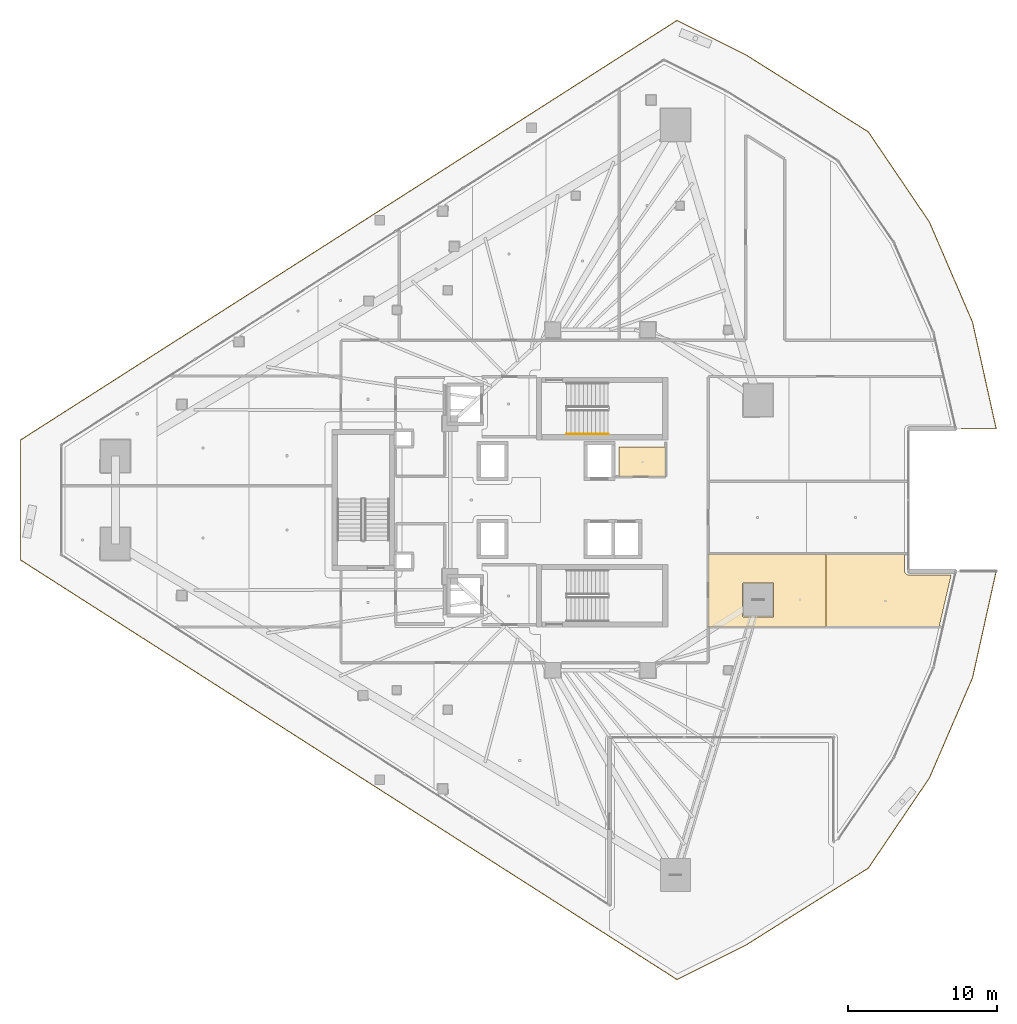
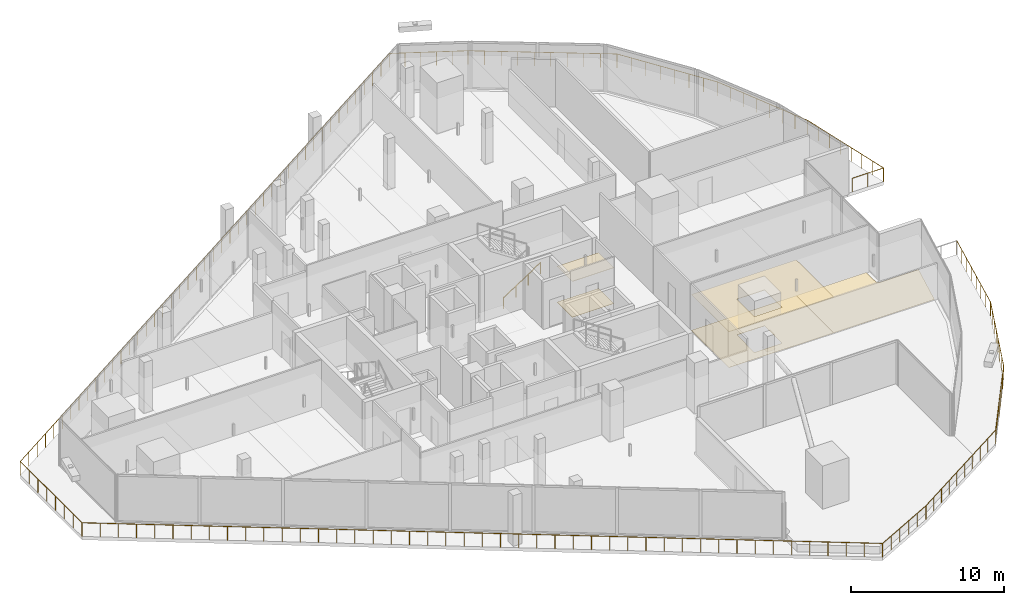
# One storey, part 36 of 39: 5 coverings, 2 railings.
"""IFC4 building model written with IfcOpenShell, lengths in metres."""

from ifc_helpers import new_model, si_unit, direction, frame, origin, origin_2d, place, context, subcontext, project, spatial, polyline, circle, outline, extrude, material, layer, layer_set, type_object, element, save


model = new_model("IFC4")

# Units and contexts
model_context = context("Model", 3, precision=1e-05, world=origin(), true_north=direction((0.0, 1.0)))
body_context = subcontext(model_context, "Body", "Model", "MODEL_VIEW")
ifc_project = project(units=[si_unit("LENGTHUNIT", "METRE"), si_unit("AREAUNIT", "SQUARE_METRE"), si_unit("VOLUMEUNIT", "CUBIC_METRE"), si_unit("PLANEANGLEUNIT", "RADIAN"), si_unit("MASSUNIT", "GRAM", prefix="KILO")], contexts=[model_context])

# Site, building, storey
site_placement = place(None, origin())
site = spatial("IfcSite", under=ifc_project, at=site_placement, CompositionType="ELEMENT")
building_placement = place(site_placement, origin())
building = spatial("IfcBuilding", under=site, at=building_placement, Name="Qorvath Tower", CompositionType="ELEMENT")
storey_placement = place(building_placement, frame((0.0, 0.0, 154.35009765625)))
storey = spatial("IfcBuildingStorey", under=building, at=storey_placement, Name="L35", CompositionType="ELEMENT", Elevation=154.35009765625)

# Coverings
ifc_material_1 = material(Name="Acoustic mineral fibre ceiling tile", Category="gypsum")
ifc_layer_1 = layer(ifc_material_1, 0.030029296875)
ifc_layer_set_1 = layer_set([ifc_layer_1], Name="COV-CEIL")
covering_type_1 = type_object("IfcCoveringType", Name="COV-CEIL", PredefinedType="CEILING", material=ifc_layer_set_1)
covering_1_placement = place(storey_placement, frame((0.0, 0.0, 2.849853515625)))
element("IfcCovering", 1, at=covering_1_placement, inside=storey, type_object=covering_type_1, Name="L35 Suspended Acoustic Ceiling 003", PredefinedType="CEILING", context=body_context, shape_type="SweptSolid", body=[
    extrude(outline(polyline([(-16.0048828125, 3.56005859375), (-19.139892578125, 3.56005859375), (-19.139892578125, 1.56494140625), (-16.0048828125, 1.56494140625), (-16.0048828125, 3.56005859375)])), origin(), (0.0, 0.0, 1.0), 0.030029296875),
])
covering_2_placement = place(storey_placement, frame((0.0, 0.0, 2.849853515625)))
element("IfcCovering", 2, at=covering_2_placement, inside=storey, type_object=covering_type_1, Name="L35 Suspended Acoustic Ceiling 020", PredefinedType="CEILING", context=body_context, shape_type="SweptSolid", body=[
    extrude(outline(polyline([(-5.210693359375, -8.537109375), (-5.210693359375, -3.623779296875), (-13.136962890625, -3.623779296875), (-13.136962890625, -8.537109375), (-5.210693359375, -8.537109375)]), holes=[polyline([(-10.830322265625, -7.8212890625), (-10.812744140625, -5.578857421875), (-8.727783203125, -5.578857421875), (-8.727783203125, -7.86376953125), (-10.770263671875, -7.88134765625), (-10.830322265625, -7.8212890625)])]), origin(), (0.0, 0.0, 1.0), 0.030029296875),
])
ifc_material_2 = material(Name="Low-VOC modular carpet tile", Category="textile")
ifc_layer_2 = layer(ifc_material_2, 0.014892578125)
ifc_layer_set_2 = layer_set([ifc_layer_2], Name="COV-FLOOR-CPT")
covering_type_2 = type_object("IfcCoveringType", Name="COV-FLOOR-CPT", PredefinedType="FLOORING", material=ifc_layer_set_2)
covering_3_placement = place(storey_placement, origin())
element("IfcCovering", 3, at=covering_3_placement, inside=storey, type_object=covering_type_2, Name="L35 Floor Finish 003", PredefinedType="FLOORING", context=body_context, shape_type="SweptSolid", body=[
    extrude(outline(polyline([(-16.0048828125, 3.56005859375), (-19.139892578125, 3.56005859375), (-19.139892578125, 1.56494140625), (-16.0048828125, 1.56494140625), (-16.0048828125, 3.56005859375)])), origin(), (0.0, 0.0, 1.0), 0.014892578125),
])
covering_4_placement = place(storey_placement, origin())
element("IfcCovering", 4, at=covering_4_placement, inside=storey, type_object=covering_type_2, Name="L35 Floor Finish 020", PredefinedType="FLOORING", context=body_context, shape_type="SweptSolid", body=[
    extrude(outline(polyline([(-5.210693359375, -8.537109375), (-5.210693359375, -3.623779296875), (-13.136962890625, -3.623779296875), (-13.136962890625, -8.537109375), (-5.210693359375, -8.537109375)]), holes=[polyline([(-10.830322265625, -7.8212890625), (-10.812744140625, -5.578857421875), (-8.727783203125, -5.578857421875), (-8.727783203125, -7.86376953125), (-10.770263671875, -7.88134765625), (-10.830322265625, -7.8212890625)])]), origin(), (0.0, 0.0, 1.0), 0.014892578125),
])
covering_5_placement = place(storey_placement, origin())
element("IfcCovering", 5, at=covering_5_placement, inside=storey, type_object=covering_type_2, Name="L35 Floor Finish 021", PredefinedType="FLOORING", context=body_context, shape_type="SweptSolid", body=[
    extrude(outline(polyline([(0.177001953125, -4.990966796875), (0.089599609375, -4.843994140625), (0.084716796875, -3.623779296875), (-5.210693359375, -3.623779296875), (-5.210693359375, -8.537109375), (2.408203125, -8.537109375), (3.2158203125, -5.05029296875), (0.315185546875, -5.049072265625), (0.177001953125, -4.990966796875)])), origin(), (0.0, 0.0, 1.0), 0.014892578125),
])

# Railings
ifc_material_3 = material(Name="Laminated safety glass and stainless steel AISI 316", Category="steel")
railing_type_1 = type_object("IfcRailingType", Name="RL-EXT-GRD", PredefinedType="GUARDRAIL", material=ifc_material_3)
railing_1_placement = place(storey_placement, frame((6.252685546875, -4.795166015625, 0.0)))
element("IfcRailing", 6, at=railing_1_placement, inside=storey, type_object=railing_type_1, Name="Loggia Perimeter Guardrail L35-1.1", PredefinedType="GUARDRAIL", context=body_context, shape_type="SweptSolid", body=[
    extrude(circle(Radius=0.02392578125, at=origin_2d()), frame((0.0, 0.0, 1.09619140625), z_axis=(-0.216081952591, -0.976375230003, 0.0), x_axis=(0.976375230003, -0.216081952591, 0.0)), (0.0, 0.0, 1.0), 7.343017578125),
    extrude(circle(Radius=0.02392578125, at=origin_2d()), frame((-1.586669921875, -7.16943359375, 1.09619140625), z_axis=(-0.395483671484, -0.918473007545, 0.0), x_axis=(0.918473007545, -0.395483671484, 0.0)), (0.0, 0.0, 1.0), 7.343017578125),
    extrude(circle(Radius=0.02392578125, at=origin_2d()), frame((-4.49072265625, -13.913818359375, 1.09619140625), z_axis=(-0.560823149811, -0.827935622278, 0.0), x_axis=(0.827935622278, -0.560823149811, 0.0)), (0.0, 0.0, 1.0), 7.343017578125),
    extrude(circle(Radius=0.02392578125, at=origin_2d()), frame((-8.60888671875, -19.993408203125, 1.09619140625), z_axis=(-0.846489105075, -0.532406043344, 0.0), x_axis=(0.532406043344, -0.846489105075, 0.0)), (0.0, 0.0, 1.0), 9.7646484375),
    extrude(circle(Radius=0.02392578125, at=origin_2d()), frame((-16.87451171875, -25.192138671875, 1.09619140625), z_axis=(-0.89443665724, -0.447194662518, 0.0), x_axis=(0.447194662518, -0.89443665724, 0.0)), (0.0, 0.0, 1.0), 5.157958984375),
    extrude(circle(Radius=0.02392578125, at=origin_2d()), frame((-21.488037109375, -27.498779296875, 1.09619140625), z_axis=(-0.842602658811, 0.538535754954, 0.0), x_axis=(-0.538535754954, -0.842602658811, 0.0)), (0.0, 0.0, 1.0), 52.470703125),
    extrude(circle(Radius=0.02392578125, at=origin_2d()), frame((-65.699951171875, 0.758544921875, 1.09619140625), z_axis=(0.0, 1.0, 0.0), x_axis=(-1.0, 0.0, 0.0)), (0.0, 0.0, 1.0), 8.0732421875),
    extrude(circle(Radius=0.02392578125, at=origin_2d()), frame((-65.699951171875, 8.831787109375, 1.09619140625), z_axis=(0.842602658811, 0.538535754954, 0.0), x_axis=(-0.538535754954, 0.842602658811, 0.0)), (0.0, 0.0, 1.0), 52.470703125),
    extrude(circle(Radius=0.02392578125, at=origin_2d()), frame((-21.488037109375, 37.089111328125, 1.09619140625), z_axis=(0.89443665724, -0.447194662518, 0.0), x_axis=(0.447194662518, 0.89443665724, 0.0)), (0.0, 0.0, 1.0), 5.157958984375),
    extrude(circle(Radius=0.02392578125, at=origin_2d()), frame((-16.87451171875, 34.782470703125, 1.09619140625), z_axis=(0.846489105075, -0.532406043344, 0.0), x_axis=(0.532406043344, 0.846489105075, 0.0)), (0.0, 0.0, 1.0), 9.7646484375),
    extrude(circle(Radius=0.02392578125, at=origin_2d()), frame((-8.60888671875, 29.583740234375, 1.09619140625), z_axis=(0.560823149811, -0.827935622278, 0.0), x_axis=(0.827935622278, 0.560823149811, 0.0)), (0.0, 0.0, 1.0), 7.343017578125),
    extrude(circle(Radius=0.02392578125, at=origin_2d()), frame((-4.49072265625, 23.504150390625, 1.09619140625), z_axis=(0.395483671484, -0.918473007545, 0.0), x_axis=(0.918473007545, 0.395483671484, 0.0)), (0.0, 0.0, 1.0), 7.343017578125),
    extrude(circle(Radius=0.02392578125, at=origin_2d()), frame((-1.586669921875, 16.759765625, 1.09619140625), z_axis=(0.216081952591, -0.976375230003, 0.0), x_axis=(0.976375230003, 0.216081952591, 0.0)), (0.0, 0.0, 1.0), 7.343017578125),
    extrude(circle(Radius=0.02392578125, at=origin_2d()), frame((0.0, 9.59033203125, 1.09619140625), z_axis=(-1.0, 0.0, 0.0), x_axis=(0.0, -1.0, 0.0)), (0.0, 0.0, 1.0), 2.366455078125),
    extrude(circle(Radius=0.02099609375, at=origin_2d()), origin(), (0.0, 0.0, 1.0), 1.072021484375),
    extrude(circle(Radius=0.02099609375, at=origin_2d()), frame((-0.2265625, -1.024169921875, 0.0)), (0.0, 0.0, 1.0), 1.072021484375),
    extrude(circle(Radius=0.02099609375, at=origin_2d()), frame((-0.453369140625, -2.04833984375, 0.0)), (0.0, 0.0, 1.0), 1.072021484375),
    extrude(circle(Radius=0.02099609375, at=origin_2d()), frame((-0.679931640625, -3.072509765625, 0.0)), (0.0, 0.0, 1.0), 1.072021484375),
    extrude(circle(Radius=0.02099609375, at=origin_2d()), frame((-0.90673828125, -4.096923828125, 0.0)), (0.0, 0.0, 1.0), 1.072021484375),
    extrude(circle(Radius=0.02099609375, at=origin_2d()), frame((-1.13330078125, -5.12109375, 0.0)), (0.0, 0.0, 1.0), 1.072021484375),
    extrude(circle(Radius=0.02099609375, at=origin_2d()), frame((-1.360107421875, -6.145263671875, 0.0)), (0.0, 0.0, 1.0), 1.072021484375),
    extrude(circle(Radius=0.02099609375, at=origin_2d()), frame((-1.586669921875, -7.16943359375, 0.0)), (0.0, 0.0, 1.0), 1.072021484375),
    extrude(circle(Radius=0.02099609375, at=origin_2d()), frame((-2.00146484375, -8.1328125, 0.0)), (0.0, 0.0, 1.0), 1.072021484375),
    extrude(circle(Radius=0.02099609375, at=origin_2d()), frame((-2.41650390625, -9.096435546875, 0.0)), (0.0, 0.0, 1.0), 1.072021484375),
    extrude(circle(Radius=0.02099609375, at=origin_2d()), frame((-2.831298828125, -10.059814453125, 0.0)), (0.0, 0.0, 1.0), 1.072021484375),
    extrude(circle(Radius=0.02099609375, at=origin_2d()), frame((-3.24609375, -11.0234375, 0.0)), (0.0, 0.0, 1.0), 1.072021484375),
    extrude(circle(Radius=0.02099609375, at=origin_2d()), frame((-3.660888671875, -11.98681640625, 0.0)), (0.0, 0.0, 1.0), 1.072021484375),
    extrude(circle(Radius=0.02099609375, at=origin_2d()), frame((-4.075927734375, -12.950439453125, 0.0)), (0.0, 0.0, 1.0), 1.072021484375),
    extrude(circle(Radius=0.02099609375, at=origin_2d()), frame((-4.49072265625, -13.913818359375, 0.0)), (0.0, 0.0, 1.0), 1.072021484375),
    extrude(circle(Radius=0.02099609375, at=origin_2d()), frame((-5.0791015625, -14.7822265625, 0.0)), (0.0, 0.0, 1.0), 1.072021484375),
    extrude(circle(Radius=0.02099609375, at=origin_2d()), frame((-5.667236328125, -15.65087890625, 0.0)), (0.0, 0.0, 1.0), 1.072021484375),
    extrude(circle(Radius=0.02099609375, at=origin_2d()), frame((-6.255615234375, -16.519287109375, 0.0)), (0.0, 0.0, 1.0), 1.072021484375),
    extrude(circle(Radius=0.02099609375, at=origin_2d()), frame((-6.843994140625, -17.387939453125, 0.0)), (0.0, 0.0, 1.0), 1.072021484375),
    extrude(circle(Radius=0.02099609375, at=origin_2d()), frame((-7.432373046875, -18.25634765625, 0.0)), (0.0, 0.0, 1.0), 1.072021484375),
    extrude(circle(Radius=0.02099609375, at=origin_2d()), frame((-8.0205078125, -19.125, 0.0)), (0.0, 0.0, 1.0), 1.072021484375),
    extrude(circle(Radius=0.02099609375, at=origin_2d()), frame((-8.60888671875, -19.993408203125, 0.0)), (0.0, 0.0, 1.0), 1.072021484375),
    extrude(circle(Radius=0.02099609375, at=origin_2d()), frame((-9.52734375, -20.571044921875, 0.0)), (0.0, 0.0, 1.0), 1.072021484375),
    extrude(circle(Radius=0.02099609375, at=origin_2d()), frame((-10.44580078125, -21.148681640625, 0.0)), (0.0, 0.0, 1.0), 1.072021484375),
    extrude(circle(Radius=0.02099609375, at=origin_2d()), frame((-11.364013671875, -21.726318359375, 0.0)), (0.0, 0.0, 1.0), 1.072021484375),
    extrude(circle(Radius=0.02099609375, at=origin_2d()), frame((-12.282470703125, -22.303955078125, 0.0)), (0.0, 0.0, 1.0), 1.072021484375),
    extrude(circle(Radius=0.02099609375, at=origin_2d()), frame((-13.200927734375, -22.881591796875, 0.0)), (0.0, 0.0, 1.0), 1.072021484375),
    extrude(circle(Radius=0.02099609375, at=origin_2d()), frame((-14.119384765625, -23.459228515625, 0.0)), (0.0, 0.0, 1.0), 1.072021484375),
    extrude(circle(Radius=0.02099609375, at=origin_2d()), frame((-15.03759765625, -24.036865234375, 0.0)), (0.0, 0.0, 1.0), 1.072021484375),
    extrude(circle(Radius=0.02099609375, at=origin_2d()), frame((-15.9560546875, -24.614501953125, 0.0)), (0.0, 0.0, 1.0), 1.072021484375),
    extrude(circle(Radius=0.02099609375, at=origin_2d()), frame((-16.87451171875, -25.192138671875, 0.0)), (0.0, 0.0, 1.0), 1.072021484375),
    extrude(circle(Radius=0.02099609375, at=origin_2d()), frame((-17.797119140625, -25.653564453125, 0.0)), (0.0, 0.0, 1.0), 1.072021484375),
    extrude(circle(Radius=0.02099609375, at=origin_2d()), frame((-18.719970703125, -26.11474609375, 0.0)), (0.0, 0.0, 1.0), 1.072021484375),
    extrude(circle(Radius=0.02099609375, at=origin_2d()), frame((-19.642578125, -26.576171875, 0.0)), (0.0, 0.0, 1.0), 1.072021484375),
    extrude(circle(Radius=0.02099609375, at=origin_2d()), frame((-20.5654296875, -27.037353515625, 0.0)), (0.0, 0.0, 1.0), 1.072021484375),
    extrude(circle(Radius=0.02099609375, at=origin_2d()), frame((-21.488037109375, -27.498779296875, 0.0)), (0.0, 0.0, 1.0), 1.072021484375),
    extrude(circle(Radius=0.02099609375, at=origin_2d()), frame((-22.492919921875, -26.8564453125, 0.0)), (0.0, 0.0, 1.0), 1.072021484375),
    extrude(circle(Radius=0.02099609375, at=origin_2d()), frame((-23.49755859375, -26.21435546875, 0.0)), (0.0, 0.0, 1.0), 1.072021484375),
    extrude(circle(Radius=0.02099609375, at=origin_2d()), frame((-24.50244140625, -25.572265625, 0.0)), (0.0, 0.0, 1.0), 1.072021484375),
    extrude(circle(Radius=0.02099609375, at=origin_2d()), frame((-25.50732421875, -24.929931640625, 0.0)), (0.0, 0.0, 1.0), 1.072021484375),
    extrude(circle(Radius=0.02099609375, at=origin_2d()), frame((-26.51220703125, -24.28759765625, 0.0)), (0.0, 0.0, 1.0), 1.072021484375),
    extrude(circle(Radius=0.02099609375, at=origin_2d()), frame((-27.516845703125, -23.6455078125, 0.0)), (0.0, 0.0, 1.0), 1.072021484375),
    extrude(circle(Radius=0.02099609375, at=origin_2d()), frame((-28.521728515625, -23.00341796875, 0.0)), (0.0, 0.0, 1.0), 1.072021484375),
    extrude(circle(Radius=0.02099609375, at=origin_2d()), frame((-29.526611328125, -22.361083984375, 0.0)), (0.0, 0.0, 1.0), 1.072021484375),
    extrude(circle(Radius=0.02099609375, at=origin_2d()), frame((-30.531494140625, -21.71875, 0.0)), (0.0, 0.0, 1.0), 1.072021484375),
    extrude(circle(Radius=0.02099609375, at=origin_2d()), frame((-31.5361328125, -21.07666015625, 0.0)), (0.0, 0.0, 1.0), 1.072021484375),
    extrude(circle(Radius=0.02099609375, at=origin_2d()), frame((-32.541015625, -20.4345703125, 0.0)), (0.0, 0.0, 1.0), 1.072021484375),
    extrude(circle(Radius=0.02099609375, at=origin_2d()), frame((-33.5458984375, -19.792236328125, 0.0)), (0.0, 0.0, 1.0), 1.072021484375),
    extrude(circle(Radius=0.02099609375, at=origin_2d()), frame((-34.550537109375, -19.14990234375, 0.0)), (0.0, 0.0, 1.0), 1.072021484375),
    extrude(circle(Radius=0.02099609375, at=origin_2d()), frame((-35.555419921875, -18.5078125, 0.0)), (0.0, 0.0, 1.0), 1.072021484375),
    extrude(circle(Radius=0.02099609375, at=origin_2d()), frame((-36.560302734375, -17.86572265625, 0.0)), (0.0, 0.0, 1.0), 1.072021484375),
    extrude(circle(Radius=0.02099609375, at=origin_2d()), frame((-37.565185546875, -17.223388671875, 0.0)), (0.0, 0.0, 1.0), 1.072021484375),
    extrude(circle(Radius=0.02099609375, at=origin_2d()), frame((-38.56982421875, -16.5810546875, 0.0)), (0.0, 0.0, 1.0), 1.072021484375),
    extrude(circle(Radius=0.02099609375, at=origin_2d()), frame((-39.57470703125, -15.93896484375, 0.0)), (0.0, 0.0, 1.0), 1.072021484375),
    extrude(circle(Radius=0.02099609375, at=origin_2d()), frame((-40.57958984375, -15.296875, 0.0)), (0.0, 0.0, 1.0), 1.072021484375),
    extrude(circle(Radius=0.02099609375, at=origin_2d()), frame((-41.58447265625, -14.654541015625, 0.0)), (0.0, 0.0, 1.0), 1.072021484375),
    extrude(circle(Radius=0.02099609375, at=origin_2d()), frame((-42.589111328125, -14.01220703125, 0.0)), (0.0, 0.0, 1.0), 1.072021484375),
    extrude(circle(Radius=0.02099609375, at=origin_2d()), frame((-43.593994140625, -13.3701171875, 0.0)), (0.0, 0.0, 1.0), 1.072021484375),
    extrude(circle(Radius=0.02099609375, at=origin_2d()), frame((-44.598876953125, -12.72802734375, 0.0)), (0.0, 0.0, 1.0), 1.072021484375),
    extrude(circle(Radius=0.02099609375, at=origin_2d()), frame((-45.603515625, -12.085693359375, 0.0)), (0.0, 0.0, 1.0), 1.072021484375),
    extrude(circle(Radius=0.02099609375, at=origin_2d()), frame((-46.6083984375, -11.443359375, 0.0)), (0.0, 0.0, 1.0), 1.072021484375),
    extrude(circle(Radius=0.02099609375, at=origin_2d()), frame((-47.61328125, -10.80126953125, 0.0)), (0.0, 0.0, 1.0), 1.072021484375),
    extrude(circle(Radius=0.02099609375, at=origin_2d()), frame((-48.6181640625, -10.1591796875, 0.0)), (0.0, 0.0, 1.0), 1.072021484375),
    extrude(circle(Radius=0.02099609375, at=origin_2d()), frame((-49.622802734375, -9.516845703125, 0.0)), (0.0, 0.0, 1.0), 1.072021484375),
    extrude(circle(Radius=0.02099609375, at=origin_2d()), frame((-50.627685546875, -8.87451171875, 0.0)), (0.0, 0.0, 1.0), 1.072021484375),
    extrude(circle(Radius=0.02099609375, at=origin_2d()), frame((-51.632568359375, -8.232421875, 0.0)), (0.0, 0.0, 1.0), 1.072021484375),
    extrude(circle(Radius=0.02099609375, at=origin_2d()), frame((-52.637451171875, -7.59033203125, 0.0)), (0.0, 0.0, 1.0), 1.072021484375),
    extrude(circle(Radius=0.02099609375, at=origin_2d()), frame((-53.64208984375, -6.947998046875, 0.0)), (0.0, 0.0, 1.0), 1.072021484375),
    extrude(circle(Radius=0.02099609375, at=origin_2d()), frame((-54.64697265625, -6.3056640625, 0.0)), (0.0, 0.0, 1.0), 1.072021484375),
    extrude(circle(Radius=0.02099609375, at=origin_2d()), frame((-55.65185546875, -5.66357421875, 0.0)), (0.0, 0.0, 1.0), 1.072021484375),
    extrude(circle(Radius=0.02099609375, at=origin_2d()), frame((-56.656494140625, -5.021484375, 0.0)), (0.0, 0.0, 1.0), 1.072021484375),
    extrude(circle(Radius=0.02099609375, at=origin_2d()), frame((-57.661376953125, -4.379150390625, 0.0)), (0.0, 0.0, 1.0), 1.072021484375),
    extrude(circle(Radius=0.02099609375, at=origin_2d()), frame((-58.666259765625, -3.73681640625, 0.0)), (0.0, 0.0, 1.0), 1.072021484375),
    extrude(circle(Radius=0.02099609375, at=origin_2d()), frame((-59.671142578125, -3.0947265625, 0.0)), (0.0, 0.0, 1.0), 1.072021484375),
    extrude(circle(Radius=0.02099609375, at=origin_2d()), frame((-60.67578125, -2.45263671875, 0.0)), (0.0, 0.0, 1.0), 1.072021484375),
    extrude(circle(Radius=0.02099609375, at=origin_2d()), frame((-61.6806640625, -1.810302734375, 0.0)), (0.0, 0.0, 1.0), 1.072021484375),
    extrude(circle(Radius=0.02099609375, at=origin_2d()), frame((-62.685546875, -1.16796875, 0.0)), (0.0, 0.0, 1.0), 1.072021484375),
    extrude(circle(Radius=0.02099609375, at=origin_2d()), frame((-63.6904296875, -0.52587890625, 0.0)), (0.0, 0.0, 1.0), 1.072021484375),
    extrude(circle(Radius=0.02099609375, at=origin_2d()), frame((-64.695068359375, 0.1162109375, 0.0)), (0.0, 0.0, 1.0), 1.072021484375),
    extrude(circle(Radius=0.02099609375, at=origin_2d()), frame((-65.699951171875, 0.758544921875, 0.0)), (0.0, 0.0, 1.0), 1.072021484375),
    extrude(circle(Radius=0.02099609375, at=origin_2d()), frame((-65.699951171875, 1.911865234375, 0.0)), (0.0, 0.0, 1.0), 1.072021484375),
    extrude(circle(Radius=0.02099609375, at=origin_2d()), frame((-65.699951171875, 3.065185546875, 0.0)), (0.0, 0.0, 1.0), 1.072021484375),
    extrude(circle(Radius=0.02099609375, at=origin_2d()), frame((-65.699951171875, 4.218505859375, 0.0)), (0.0, 0.0, 1.0), 1.072021484375),
    extrude(circle(Radius=0.02099609375, at=origin_2d()), frame((-65.699951171875, 5.371826171875, 0.0)), (0.0, 0.0, 1.0), 1.072021484375),
    extrude(circle(Radius=0.02099609375, at=origin_2d()), frame((-65.699951171875, 6.525146484375, 0.0)), (0.0, 0.0, 1.0), 1.072021484375),
    extrude(circle(Radius=0.02099609375, at=origin_2d()), frame((-65.699951171875, 7.678466796875, 0.0)), (0.0, 0.0, 1.0), 1.072021484375),
    extrude(circle(Radius=0.02099609375, at=origin_2d()), frame((-65.699951171875, 8.831787109375, 0.0)), (0.0, 0.0, 1.0), 1.072021484375),
    extrude(circle(Radius=0.02099609375, at=origin_2d()), frame((-64.695068359375, 9.47412109375, 0.0)), (0.0, 0.0, 1.0), 1.072021484375),
    extrude(circle(Radius=0.02099609375, at=origin_2d()), frame((-63.6904296875, 10.1162109375, 0.0)), (0.0, 0.0, 1.0), 1.072021484375),
    extrude(circle(Radius=0.02099609375, at=origin_2d()), frame((-62.685546875, 10.75830078125, 0.0)), (0.0, 0.0, 1.0), 1.072021484375),
    extrude(circle(Radius=0.02099609375, at=origin_2d()), frame((-61.6806640625, 11.400634765625, 0.0)), (0.0, 0.0, 1.0), 1.072021484375),
    extrude(circle(Radius=0.02099609375, at=origin_2d()), frame((-60.67578125, 12.04296875, 0.0)), (0.0, 0.0, 1.0), 1.072021484375),
    extrude(circle(Radius=0.02099609375, at=origin_2d()), frame((-59.671142578125, 12.68505859375, 0.0)), (0.0, 0.0, 1.0), 1.072021484375),
    extrude(circle(Radius=0.02099609375, at=origin_2d()), frame((-58.666259765625, 13.3271484375, 0.0)), (0.0, 0.0, 1.0), 1.072021484375),
    extrude(circle(Radius=0.02099609375, at=origin_2d()), frame((-57.661376953125, 13.969482421875, 0.0)), (0.0, 0.0, 1.0), 1.072021484375),
    extrude(circle(Radius=0.02099609375, at=origin_2d()), frame((-56.656494140625, 14.61181640625, 0.0)), (0.0, 0.0, 1.0), 1.072021484375),
    extrude(circle(Radius=0.02099609375, at=origin_2d()), frame((-55.65185546875, 15.25390625, 0.0)), (0.0, 0.0, 1.0), 1.072021484375),
    extrude(circle(Radius=0.02099609375, at=origin_2d()), frame((-54.64697265625, 15.89599609375, 0.0)), (0.0, 0.0, 1.0), 1.072021484375),
    extrude(circle(Radius=0.02099609375, at=origin_2d()), frame((-53.64208984375, 16.538330078125, 0.0)), (0.0, 0.0, 1.0), 1.072021484375),
    extrude(circle(Radius=0.02099609375, at=origin_2d()), frame((-52.637451171875, 17.1806640625, 0.0)), (0.0, 0.0, 1.0), 1.072021484375),
    extrude(circle(Radius=0.02099609375, at=origin_2d()), frame((-51.632568359375, 17.82275390625, 0.0)), (0.0, 0.0, 1.0), 1.072021484375),
    extrude(circle(Radius=0.02099609375, at=origin_2d()), frame((-50.627685546875, 18.46484375, 0.0)), (0.0, 0.0, 1.0), 1.072021484375),
    extrude(circle(Radius=0.02099609375, at=origin_2d()), frame((-49.622802734375, 19.107177734375, 0.0)), (0.0, 0.0, 1.0), 1.072021484375),
    extrude(circle(Radius=0.02099609375, at=origin_2d()), frame((-48.6181640625, 19.74951171875, 0.0)), (0.0, 0.0, 1.0), 1.072021484375),
    extrude(circle(Radius=0.02099609375, at=origin_2d()), frame((-47.61328125, 20.3916015625, 0.0)), (0.0, 0.0, 1.0), 1.072021484375),
    extrude(circle(Radius=0.02099609375, at=origin_2d()), frame((-46.6083984375, 21.03369140625, 0.0)), (0.0, 0.0, 1.0), 1.072021484375),
    extrude(circle(Radius=0.02099609375, at=origin_2d()), frame((-45.603515625, 21.676025390625, 0.0)), (0.0, 0.0, 1.0), 1.072021484375),
    extrude(circle(Radius=0.02099609375, at=origin_2d()), frame((-44.598876953125, 22.318359375, 0.0)), (0.0, 0.0, 1.0), 1.072021484375),
    extrude(circle(Radius=0.02099609375, at=origin_2d()), frame((-43.593994140625, 22.96044921875, 0.0)), (0.0, 0.0, 1.0), 1.072021484375),
    extrude(circle(Radius=0.02099609375, at=origin_2d()), frame((-42.589111328125, 23.6025390625, 0.0)), (0.0, 0.0, 1.0), 1.072021484375),
    extrude(circle(Radius=0.02099609375, at=origin_2d()), frame((-41.58447265625, 24.244873046875, 0.0)), (0.0, 0.0, 1.0), 1.072021484375),
    extrude(circle(Radius=0.02099609375, at=origin_2d()), frame((-40.57958984375, 24.88720703125, 0.0)), (0.0, 0.0, 1.0), 1.072021484375),
    extrude(circle(Radius=0.02099609375, at=origin_2d()), frame((-39.57470703125, 25.529296875, 0.0)), (0.0, 0.0, 1.0), 1.072021484375),
    extrude(circle(Radius=0.02099609375, at=origin_2d()), frame((-38.56982421875, 26.17138671875, 0.0)), (0.0, 0.0, 1.0), 1.072021484375),
    extrude(circle(Radius=0.02099609375, at=origin_2d()), frame((-37.565185546875, 26.813720703125, 0.0)), (0.0, 0.0, 1.0), 1.072021484375),
    extrude(circle(Radius=0.02099609375, at=origin_2d()), frame((-36.560302734375, 27.4560546875, 0.0)), (0.0, 0.0, 1.0), 1.072021484375),
    extrude(circle(Radius=0.02099609375, at=origin_2d()), frame((-35.555419921875, 28.09814453125, 0.0)), (0.0, 0.0, 1.0), 1.072021484375),
    extrude(circle(Radius=0.02099609375, at=origin_2d()), frame((-34.550537109375, 28.740234375, 0.0)), (0.0, 0.0, 1.0), 1.072021484375),
    extrude(circle(Radius=0.02099609375, at=origin_2d()), frame((-33.5458984375, 29.382568359375, 0.0)), (0.0, 0.0, 1.0), 1.072021484375),
    extrude(circle(Radius=0.02099609375, at=origin_2d()), frame((-32.541015625, 30.02490234375, 0.0)), (0.0, 0.0, 1.0), 1.072021484375),
    extrude(circle(Radius=0.02099609375, at=origin_2d()), frame((-31.5361328125, 30.6669921875, 0.0)), (0.0, 0.0, 1.0), 1.072021484375),
    extrude(circle(Radius=0.02099609375, at=origin_2d()), frame((-30.531494140625, 31.30908203125, 0.0)), (0.0, 0.0, 1.0), 1.072021484375),
    extrude(circle(Radius=0.02099609375, at=origin_2d()), frame((-29.526611328125, 31.951416015625, 0.0)), (0.0, 0.0, 1.0), 1.072021484375),
    extrude(circle(Radius=0.02099609375, at=origin_2d()), frame((-28.521728515625, 32.59375, 0.0)), (0.0, 0.0, 1.0), 1.072021484375),
    extrude(circle(Radius=0.02099609375, at=origin_2d()), frame((-27.516845703125, 33.23583984375, 0.0)), (0.0, 0.0, 1.0), 1.072021484375),
    extrude(circle(Radius=0.02099609375, at=origin_2d()), frame((-26.51220703125, 33.8779296875, 0.0)), (0.0, 0.0, 1.0), 1.072021484375),
    extrude(circle(Radius=0.02099609375, at=origin_2d()), frame((-25.50732421875, 34.520263671875, 0.0)), (0.0, 0.0, 1.0), 1.072021484375),
    extrude(circle(Radius=0.02099609375, at=origin_2d()), frame((-24.50244140625, 35.16259765625, 0.0)), (0.0, 0.0, 1.0), 1.072021484375),
    extrude(circle(Radius=0.02099609375, at=origin_2d()), frame((-23.49755859375, 35.8046875, 0.0)), (0.0, 0.0, 1.0), 1.072021484375),
    extrude(circle(Radius=0.02099609375, at=origin_2d()), frame((-22.492919921875, 36.44677734375, 0.0)), (0.0, 0.0, 1.0), 1.072021484375),
    extrude(circle(Radius=0.02099609375, at=origin_2d()), frame((-21.488037109375, 37.089111328125, 0.0)), (0.0, 0.0, 1.0), 1.072021484375),
    extrude(circle(Radius=0.02099609375, at=origin_2d()), frame((-20.5654296875, 36.627685546875, 0.0)), (0.0, 0.0, 1.0), 1.072021484375),
    extrude(circle(Radius=0.02099609375, at=origin_2d()), frame((-19.642578125, 36.16650390625, 0.0)), (0.0, 0.0, 1.0), 1.072021484375),
    extrude(circle(Radius=0.02099609375, at=origin_2d()), frame((-18.719970703125, 35.705078125, 0.0)), (0.0, 0.0, 1.0), 1.072021484375),
    extrude(circle(Radius=0.02099609375, at=origin_2d()), frame((-17.797119140625, 35.243896484375, 0.0)), (0.0, 0.0, 1.0), 1.072021484375),
    extrude(circle(Radius=0.02099609375, at=origin_2d()), frame((-16.87451171875, 34.782470703125, 0.0)), (0.0, 0.0, 1.0), 1.072021484375),
    extrude(circle(Radius=0.02099609375, at=origin_2d()), frame((-15.9560546875, 34.204833984375, 0.0)), (0.0, 0.0, 1.0), 1.072021484375),
    extrude(circle(Radius=0.02099609375, at=origin_2d()), frame((-15.03759765625, 33.627197265625, 0.0)), (0.0, 0.0, 1.0), 1.072021484375),
    extrude(circle(Radius=0.02099609375, at=origin_2d()), frame((-14.119384765625, 33.049560546875, 0.0)), (0.0, 0.0, 1.0), 1.072021484375),
    extrude(circle(Radius=0.02099609375, at=origin_2d()), frame((-13.200927734375, 32.471923828125, 0.0)), (0.0, 0.0, 1.0), 1.072021484375),
    extrude(circle(Radius=0.02099609375, at=origin_2d()), frame((-12.282470703125, 31.894287109375, 0.0)), (0.0, 0.0, 1.0), 1.072021484375),
    extrude(circle(Radius=0.02099609375, at=origin_2d()), frame((-11.364013671875, 31.316650390625, 0.0)), (0.0, 0.0, 1.0), 1.072021484375),
    extrude(circle(Radius=0.02099609375, at=origin_2d()), frame((-10.44580078125, 30.739013671875, 0.0)), (0.0, 0.0, 1.0), 1.072021484375),
    extrude(circle(Radius=0.02099609375, at=origin_2d()), frame((-9.52734375, 30.161376953125, 0.0)), (0.0, 0.0, 1.0), 1.072021484375),
    extrude(circle(Radius=0.02099609375, at=origin_2d()), frame((-8.60888671875, 29.583740234375, 0.0)), (0.0, 0.0, 1.0), 1.072021484375),
    extrude(circle(Radius=0.02099609375, at=origin_2d()), frame((-8.0205078125, 28.71533203125, 0.0)), (0.0, 0.0, 1.0), 1.072021484375),
    extrude(circle(Radius=0.02099609375, at=origin_2d()), frame((-7.432373046875, 27.8466796875, 0.0)), (0.0, 0.0, 1.0), 1.072021484375),
    extrude(circle(Radius=0.02099609375, at=origin_2d()), frame((-6.843994140625, 26.978271484375, 0.0)), (0.0, 0.0, 1.0), 1.072021484375),
    extrude(circle(Radius=0.02099609375, at=origin_2d()), frame((-6.255615234375, 26.109619140625, 0.0)), (0.0, 0.0, 1.0), 1.072021484375),
    extrude(circle(Radius=0.02099609375, at=origin_2d()), frame((-5.667236328125, 25.2412109375, 0.0)), (0.0, 0.0, 1.0), 1.072021484375),
    extrude(circle(Radius=0.02099609375, at=origin_2d()), frame((-5.0791015625, 24.37255859375, 0.0)), (0.0, 0.0, 1.0), 1.072021484375),
    extrude(circle(Radius=0.02099609375, at=origin_2d()), frame((-4.49072265625, 23.504150390625, 0.0)), (0.0, 0.0, 1.0), 1.072021484375),
    extrude(circle(Radius=0.02099609375, at=origin_2d()), frame((-4.075927734375, 22.540771484375, 0.0)), (0.0, 0.0, 1.0), 1.072021484375),
    extrude(circle(Radius=0.02099609375, at=origin_2d()), frame((-3.660888671875, 21.5771484375, 0.0)), (0.0, 0.0, 1.0), 1.072021484375),
    extrude(circle(Radius=0.02099609375, at=origin_2d()), frame((-3.24609375, 20.61376953125, 0.0)), (0.0, 0.0, 1.0), 1.072021484375),
    extrude(circle(Radius=0.02099609375, at=origin_2d()), frame((-2.831298828125, 19.650146484375, 0.0)), (0.0, 0.0, 1.0), 1.072021484375),
    extrude(circle(Radius=0.02099609375, at=origin_2d()), frame((-2.41650390625, 18.686767578125, 0.0)), (0.0, 0.0, 1.0), 1.072021484375),
    extrude(circle(Radius=0.02099609375, at=origin_2d()), frame((-2.00146484375, 17.72314453125, 0.0)), (0.0, 0.0, 1.0), 1.072021484375),
    extrude(circle(Radius=0.02099609375, at=origin_2d()), frame((-1.586669921875, 16.759765625, 0.0)), (0.0, 0.0, 1.0), 1.072021484375),
    extrude(circle(Radius=0.02099609375, at=origin_2d()), frame((-1.360107421875, 15.735595703125, 0.0)), (0.0, 0.0, 1.0), 1.072021484375),
    extrude(circle(Radius=0.02099609375, at=origin_2d()), frame((-1.13330078125, 14.71142578125, 0.0)), (0.0, 0.0, 1.0), 1.072021484375),
    extrude(circle(Radius=0.02099609375, at=origin_2d()), frame((-0.90673828125, 13.687255859375, 0.0)), (0.0, 0.0, 1.0), 1.072021484375),
    extrude(circle(Radius=0.02099609375, at=origin_2d()), frame((-0.679931640625, 12.662841796875, 0.0)), (0.0, 0.0, 1.0), 1.072021484375),
    extrude(circle(Radius=0.02099609375, at=origin_2d()), frame((-0.453369140625, 11.638671875, 0.0)), (0.0, 0.0, 1.0), 1.072021484375),
    extrude(circle(Radius=0.02099609375, at=origin_2d()), frame((-0.2265625, 10.614501953125, 0.0)), (0.0, 0.0, 1.0), 1.072021484375),
    extrude(circle(Radius=0.02099609375, at=origin_2d()), frame((0.0, 9.59033203125, 0.0)), (0.0, 0.0, 1.0), 1.072021484375),
    extrude(circle(Radius=0.02099609375, at=origin_2d()), frame((-1.18310546875, 9.59033203125, 0.0)), (0.0, 0.0, 1.0), 1.072021484375),
    extrude(circle(Radius=0.02099609375, at=origin_2d()), frame((-2.366455078125, 9.59033203125, 0.0)), (0.0, 0.0, 1.0), 1.072021484375),
])
ifc_material_4 = material(Name="Brushed stainless steel AISI 304", Category="steel")
railing_type_2 = type_object("IfcRailingType", Name="RL-STR-HND", PredefinedType="HANDRAIL", material=ifc_material_4)
railing_2_placement = place(storey_placement, frame((-22.669921875, 4.449951171875, 0.18408203125)))
element("IfcRailing", 7, at=railing_2_placement, inside=storey, type_object=railing_type_2, Name="L35 TS1 stair handrail 1", PredefinedType="HANDRAIL", context=body_context, shape_type="SweptSolid", body=[
    extrude(circle(Radius=0.02392578125, at=origin_2d()), frame((0.0, 0.0, 0.8759765625), z_axis=(0.835575518608, 0.0, 0.549375602573), x_axis=(0.0, 1.0, 0.0)), (0.0, 0.0, 1.0), 3.350830078125),
    extrude(circle(Radius=0.02099609375, at=origin_2d()), origin(), (0.0, 0.0, 1.0), 0.851806640625),
    extrude(circle(Radius=0.02099609375, at=origin_2d()), frame((0.933349609375, 0.0, 0.613525390625)), (0.0, 0.0, 1.0), 0.851806640625),
    extrude(circle(Radius=0.02099609375, at=origin_2d()), frame((1.866455078125, 0.0, 1.227294921875)), (0.0, 0.0, 1.0), 0.851806640625),
    extrude(circle(Radius=0.02099609375, at=origin_2d()), frame((2.7998046875, 0.0, 1.8408203125)), (0.0, 0.0, 1.0), 0.851806640625),
])

save(model, "model.ifc")
